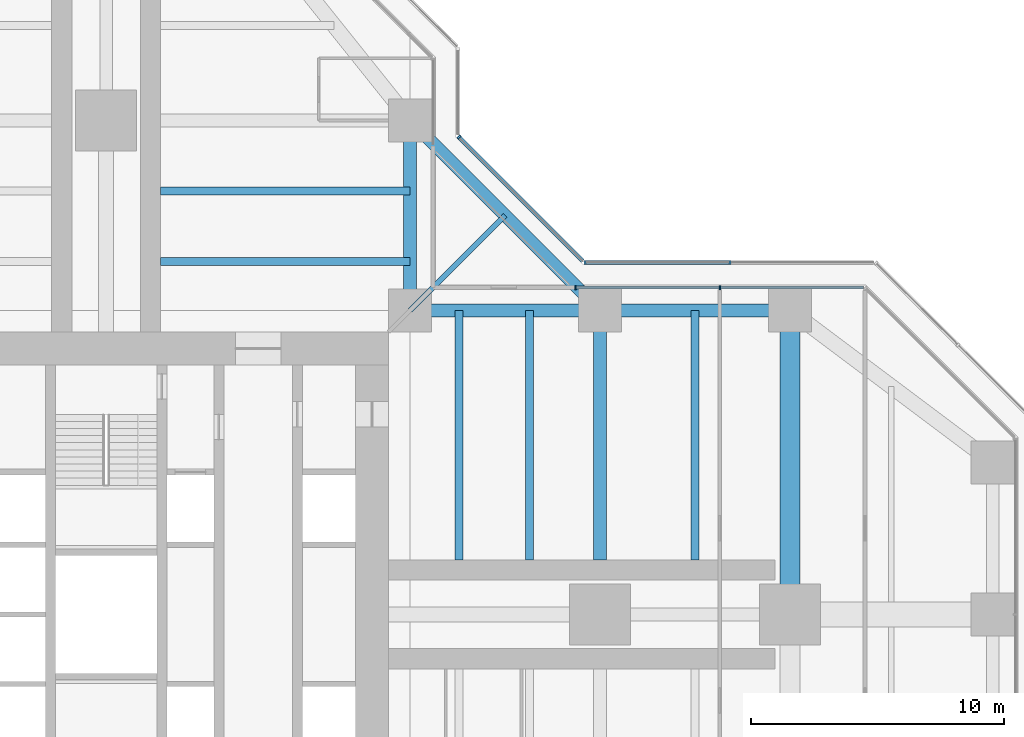
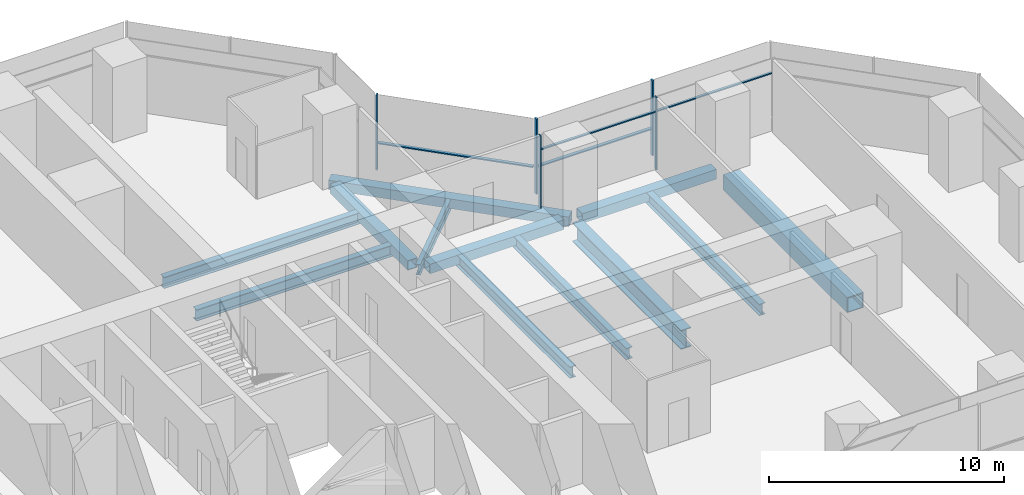
# One storey, part 9 of 20: 12 beams, 9 members, 3 elements without a shape of their own.
"""IFC4 building model written with IfcOpenShell, lengths in metres."""

from ifc_helpers import new_model, si_unit, direction, frame, origin, origin_2d, place, context, subcontext, project, spatial, rectangle, hollow_rectangle, i_section, extrude, material, material_profile, profile_set, type_object, element, aggregate, save


model = new_model("IFC4")

# Units and contexts
model_context = context("Model", 3, precision=1e-05, world=origin(), true_north=direction((0.0, 1.0)))
body_context = subcontext(model_context, "Body", "Model", "MODEL_VIEW")
ifc_project = project(units=[si_unit("LENGTHUNIT", "METRE"), si_unit("AREAUNIT", "SQUARE_METRE"), si_unit("VOLUMEUNIT", "CUBIC_METRE"), si_unit("PLANEANGLEUNIT", "RADIAN"), si_unit("MASSUNIT", "GRAM", prefix="KILO")], contexts=[model_context])

# Site, building, storey
site_placement = place(None, origin())
site = spatial("IfcSite", under=ifc_project, at=site_placement, CompositionType="ELEMENT")
building_placement = place(site_placement, origin())
building = spatial("IfcBuilding", under=site, at=building_placement, Name="Mizan Broadcast Tower", CompositionType="ELEMENT")
storey_placement = place(building_placement, frame((0.0, 0.0, 171.0)))
storey = spatial("IfcBuildingStorey", under=building, at=storey_placement, Name="L39", CompositionType="ELEMENT", Elevation=171.0)

# Beams
ifc_material_1 = material(Name="Steel S355", Category="steel")
ifc_material_profile_1 = material_profile(ifc_material_1, hollow_rectangle(XDim=0.5, YDim=0.5, WallThickness=0.030029296875, at=origin_2d()), Name="BOX 500x500x30")
ifc_profile_set_1 = profile_set([ifc_material_profile_1], Name="Steel S355")
beam_type_1 = type_object("IfcBeamType", Name="EDGE BEAM BOX 500x500x30", PredefinedType="SPANDREL", material=ifc_profile_set_1)
for number, where, z_axis, x_axis, name in (
    (1, (12.449951171875, 12.0, -0.3798828125), (1.0, 0.0, 0.0), (0.0, 1.0, 0.0), "Edge beam BOX 500x500x30 L39 east arm"),
    (2, (19.949951171875, 12.0, -0.3798828125), (1.0, 0.0, 0.0), (0.0, 1.0, 0.0), "Edge beam BOX 500x500x30 L39 east arm"),
    (3, (12.0, 12.449951171875, -0.3798828125), (0.0, 1.0, 0.0), (-1.0, 0.0, 0.0), "Edge beam BOX 500x500x30 L39 north arm"),
):
    element("IfcBeam", number, at=place(storey_placement, frame(where, z_axis=z_axis, x_axis=x_axis)), inside=storey, type_object=beam_type_1, Name=name, PredefinedType="SPANDREL", context=body_context, shape_type="SweptSolid", body=[
        extrude(hollow_rectangle(XDim=0.5, YDim=0.5, WallThickness=0.030029296875, at=origin_2d()), origin(), (0.0, 0.0, 1.0), 6.60009765625),
    ])
beam_1_placement = place(storey_placement, frame((19.5, 12.0, -0.3798828125), z_axis=(-0.707106781187, 0.707106781187, 0.0), x_axis=(-0.707106781187, -0.707106781187, 0.0)))
element("IfcBeam", 4, at=beam_1_placement, inside=storey, type_object=beam_type_1, Name="Winter garden edge beam L39 E", PredefinedType="SPANDREL", context=body_context, shape_type="SweptSolid", body=[
    extrude(hollow_rectangle(XDim=0.5, YDim=0.5, WallThickness=0.030029296875, at=origin_2d()), origin(), (0.0, 0.0, 1.0), 10.606689453125),
])
ifc_material_2 = material(Name="Steel S460", Category="steel")
ifc_material_profile_2 = material_profile(ifc_material_2, hollow_rectangle(XDim=0.800048828125, YDim=0.800048828125, WallThickness=0.050048828125, at=origin_2d()), Name="BOX 800x800x50")
ifc_profile_set_2 = profile_set([ifc_material_profile_2], Name="Steel S460")
beam_type_2 = type_object("IfcBeamType", Name="GIRDER BOX 800x800x50", PredefinedType="BEAM", material=ifc_profile_set_2)
beam_2_placement = place(storey_placement, frame((27.0, 11.280029296875, -0.530029296875), z_axis=(0.0, -1.0, 0.0), x_axis=(1.0, 0.0, 0.0)))
element("IfcBeam", 5, at=beam_2_placement, inside=storey, type_object=beam_type_2, Name="Girder BOX 800x800x50 L39 east arm", PredefinedType="BEAM", context=body_context, shape_type="SweptSolid", body=[
    extrude(hollow_rectangle(XDim=0.800048828125, YDim=0.800048828125, WallThickness=0.050048828125, at=origin_2d()), origin(), (0.0, 0.0, 1.0), 10.56005859375),
])
ifc_material_3 = material(Name="Steel S460", Category="steel")
ifc_material_profile_3 = material_profile(ifc_material_3, i_section(OverallWidth=0.5, OverallDepth=1.0, WebThickness=0.02490234375, FlangeThickness=0.050048828125, at=origin_2d()), Name="WPG 1000x500")
ifc_profile_set_3 = profile_set([ifc_material_profile_3], Name="Steel S460")
beam_type_3 = type_object("IfcBeamType", Name="GIRDER WPG 1000x500", PredefinedType="BEAM", material=ifc_profile_set_3)
beam_3_placement = place(storey_placement, frame((19.5, 11.408935546875, -0.6298828125), z_axis=(0.0, -1.0, 0.0), x_axis=(1.0, 0.0, 0.0)))
element("IfcBeam", 6, at=beam_3_placement, inside=storey, type_object=beam_type_3, Name="Girder WPG 1000x500 L39 east arm", PredefinedType="BEAM", context=body_context, shape_type="SweptSolid", body=[
    extrude(i_section(OverallWidth=0.5, OverallDepth=1.0, WebThickness=0.02490234375, FlangeThickness=0.050048828125, at=origin_2d()), origin(), (0.0, 0.0, 1.0), 9.259033203125),
])

# Curtain wall, members
ifc_material_4 = material(Name="Aluminium framed glazing", Category="aluminium")
curtain_wall_type_1 = type_object("IfcCurtainWallType", Name="INNER SKIN MID ZONE", PredefinedType="USERDEFINED", material=ifc_material_4)
curtain_wall_1_placement = place(storey_placement, origin())
curtain_wall_1 = element("IfcCurtainWall", 7, at=curtain_wall_1_placement, inside=storey, type_object=curtain_wall_type_1, Name="Inner skin mid zone L39 E side", ObjectType="INNER SKIN MID ZONE", PredefinedType="USERDEFINED")
ifc_material_5 = material(Name="Aluminium, pale anodised", Category="aluminium")
ifc_material_profile_4 = material_profile(ifc_material_5, rectangle(XDim=0.159912109375, YDim=0.06005859375, at=origin_2d()), Name="MULLION 160x60")
ifc_profile_set_4 = profile_set([ifc_material_profile_4], Name="Aluminium, pale anodised")
member_type_1 = type_object("IfcMemberType", Name="INNER SKIN MULLION 60x160", PredefinedType="MULLION", material=ifc_profile_set_4)
member_1_placement = place(storey_placement, frame((24.229248046875, 12.89990234375, 0.0), z_axis=(0.0, 0.0, 1.0), x_axis=(0.0, -1.0, 0.0)))
member_1 = element("IfcMember", 8, at=member_1_placement, type_object=member_type_1, Name="Inner skin mid zone L39 E side mullion 2", PredefinedType="MULLION", context=body_context, shape_type="SweptSolid", body=[
    extrude(rectangle(XDim=0.159912109375, YDim=0.06005859375, at=origin_2d()), origin(), (0.0, 0.0, 1.0), 3.77001953125),
])
member_2_placement = place(storey_placement, frame((18.530029296875, 12.89990234375, 0.0), z_axis=(0.0, 0.0, 1.0), x_axis=(0.0, -1.0, 0.0)))
member_2 = element("IfcMember", 9, at=member_2_placement, type_object=member_type_1, Name="Inner skin mid zone L39 E side mullion 3", PredefinedType="MULLION", context=body_context, shape_type="SweptSolid", body=[
    extrude(rectangle(XDim=0.159912109375, YDim=0.06005859375, at=origin_2d()), origin(), (0.0, 0.0, 1.0), 3.77001953125),
])
ifc_material_6 = material(Name="Aluminium, pale anodised", Category="aluminium")
ifc_material_profile_5 = material_profile(ifc_material_6, rectangle(XDim=0.1201171875, YDim=0.06005859375, at=origin_2d()), Name="TRANSOM 120x60")
ifc_profile_set_5 = profile_set([ifc_material_profile_5], Name="Aluminium, pale anodised")
member_type_2 = type_object("IfcMemberType", Name="INNER SKIN TRANSOM 60x120", PredefinedType="USERDEFINED", material=ifc_profile_set_5)
member_3_placement = place(storey_placement, frame((29.898681640625, 12.89990234375, 3.030029296875), z_axis=(-1.0, 0.0, 0.0), x_axis=(0.0, -1.0, 0.0)))
member_3 = element("IfcMember", 10, at=member_3_placement, type_object=member_type_2, Name="Inner skin mid zone L39 E side transom 1.1", ObjectType="TRANSOM", PredefinedType="USERDEFINED", context=body_context, shape_type="SweptSolid", body=[
    extrude(rectangle(XDim=0.1201171875, YDim=0.06005859375, at=origin_2d()), origin(), (0.0, 0.0, 1.0), 5.639404296875),
])
member_4_placement = place(storey_placement, frame((24.19921875, 12.89990234375, 3.030029296875), z_axis=(-1.0, 0.0, 0.0), x_axis=(0.0, -1.0, 0.0)))
member_4 = element("IfcMember", 11, at=member_4_placement, type_object=member_type_2, Name="Inner skin mid zone L39 E side transom 2.1", ObjectType="TRANSOM", PredefinedType="USERDEFINED", context=body_context, shape_type="SweptSolid", body=[
    extrude(rectangle(XDim=0.1201171875, YDim=0.06005859375, at=origin_2d()), origin(), (0.0, 0.0, 1.0), 5.63916015625),
])
aggregate(curtain_wall_1, [member_1, member_2, member_3, member_4])

ifc_material_7 = material(Name="Aluminium framed glazing", Category="aluminium")
curtain_wall_type_2 = type_object("IfcCurtainWallType", Name="OUTER SKIN", PredefinedType="USERDEFINED", material=ifc_material_7)
curtain_wall_2_placement = place(storey_placement, origin())
curtain_wall_2 = element("IfcCurtainWall", 12, at=curtain_wall_2_placement, inside=storey, type_object=curtain_wall_type_2, Name="Outer skin L39 E side", ObjectType="OUTER SKIN", PredefinedType="USERDEFINED")
ifc_material_8 = material(Name="Aluminium, pale anodised", Category="aluminium")
ifc_material_profile_6 = material_profile(ifc_material_8, rectangle(XDim=0.159912109375, YDim=0.080078125, at=origin_2d()), Name="MULLION 160x80")
ifc_profile_set_6 = profile_set([ifc_material_profile_6], Name="Aluminium, pale anodised")
member_type_3 = type_object("IfcMemberType", Name="OUTER SKIN MULLION 80x160", PredefinedType="MULLION", material=ifc_profile_set_6)
member_5_placement = place(storey_placement, frame((24.622802734375, 13.89990234375, 0.0), z_axis=(0.0, 0.0, 1.0), x_axis=(0.0, -1.0, 0.0)))
member_5 = element("IfcMember", 13, at=member_5_placement, type_object=member_type_3, Name="Outer skin L39 E side mullion 2", PredefinedType="MULLION", context=body_context, shape_type="SweptSolid", body=[
    extrude(rectangle(XDim=0.159912109375, YDim=0.080078125, at=origin_2d()), origin(), (0.0, 0.0, 1.0), 3.89990234375),
])
member_6_placement = place(storey_placement, frame((18.912841796875, 13.89990234375, 0.0), z_axis=(0.0, 0.0, 1.0), x_axis=(0.0, -1.0, 0.0)))
member_6 = element("IfcMember", 14, at=member_6_placement, type_object=member_type_3, Name="Outer skin L39 E side mullion 3", PredefinedType="MULLION", context=body_context, shape_type="SweptSolid", body=[
    extrude(rectangle(XDim=0.159912109375, YDim=0.080078125, at=origin_2d()), origin(), (0.0, 0.0, 1.0), 3.89990234375),
])

# Curtain wall, member
curtain_wall_3_placement = place(storey_placement, origin())
curtain_wall_3 = element("IfcCurtainWall", 15, at=curtain_wall_3_placement, inside=storey, type_object=curtain_wall_type_2, Name="Outer skin L39 E chamfer", ObjectType="OUTER SKIN", PredefinedType="USERDEFINED")
member_7_placement = place(storey_placement, frame((13.92822265625, 18.844482421875, 0.0), z_axis=(0.0, 0.0, 1.0), x_axis=(-0.707106781187, -0.707106781187, 0.0)))
member_7 = element("IfcMember", 16, at=member_7_placement, type_object=member_type_3, Name="Outer skin L39 E chamfer mullion 2", PredefinedType="MULLION", context=body_context, shape_type="SweptSolid", body=[
    extrude(rectangle(XDim=0.159912109375, YDim=0.080078125, at=origin_2d()), origin(), (0.0, 0.0, 1.0), 3.89990234375),
])

# Member
ifc_material_9 = material(Name="Aluminium, pale anodised", Category="aluminium")
ifc_material_profile_7 = material_profile(ifc_material_9, rectangle(XDim=0.159912109375, YDim=0.06005859375, at=origin_2d()), Name="TRANSOM 160x60")
ifc_profile_set_7 = profile_set([ifc_material_profile_7], Name="Aluminium, pale anodised")
member_type_4 = type_object("IfcMemberType", Name="OUTER SKIN TRANSOM 60x160", PredefinedType="USERDEFINED", material=ifc_profile_set_7)
member_8_placement = place(storey_placement, frame((24.582763671875, 13.89990234375, 1.39990234375), z_axis=(-1.0, 0.0, 0.0), x_axis=(0.0, -1.0, 0.0)))
member_8 = element("IfcMember", 17, at=member_8_placement, type_object=member_type_4, Name="Outer skin L39 E side transom 2.1", ObjectType="TRANSOM", PredefinedType="USERDEFINED", context=body_context, shape_type="SweptSolid", body=[
    extrude(rectangle(XDim=0.159912109375, YDim=0.06005859375, at=origin_2d()), origin(), (0.0, 0.0, 1.0), 5.6298828125),
])

aggregate(curtain_wall_2, [member_5, member_6, member_8])

member_9_placement = place(storey_placement, frame((18.816162109375, 13.95654296875, 1.39990234375), z_axis=(-0.707106781187, 0.707106781187, 0.0), x_axis=(-0.707106781187, -0.707106781187, 0.0)))
member_9 = element("IfcMember", 18, at=member_9_placement, type_object=member_type_4, Name="Outer skin L39 E chamfer transom 1.1", ObjectType="TRANSOM", PredefinedType="USERDEFINED", context=body_context, shape_type="SweptSolid", body=[
    extrude(rectangle(XDim=0.159912109375, YDim=0.06005859375, at=origin_2d()), origin(), (0.0, 0.0, 1.0), 6.87255859375),
])

aggregate(curtain_wall_3, [member_7, member_9])

# Beams
ifc_material_10 = material(Name="Steel S355", Category="steel")
ifc_material_profile_8 = material_profile(ifc_material_10, i_section(OverallWidth=0.300048828125, OverallDepth=0.590087890625, WebThickness=0.012939453125, FlangeThickness=0.02490234375, FilletRadius=0.027099609375, at=origin_2d()), Name="HEA 600")
ifc_profile_set_8 = profile_set([ifc_material_profile_8], Name="Steel S355")
beam_type_4 = type_object("IfcBeamType", Name="SECONDARY BEAM HEA 600", PredefinedType="JOIST", material=ifc_profile_set_8)
for number, where, z_axis, x_axis, name in (
    (19, (13.933349609375, 12.0, -0.425048828125), (0.0, -1.0, 0.0), (1.0, 0.0, 0.0), "Secondary beam HEA 600 L39 east arm"),
    (20, (16.716552734375, 12.0, -0.425048828125), (0.0, -1.0, 0.0), (1.0, 0.0, 0.0), "Secondary beam HEA 600 L39 east arm"),
    (21, (23.25, 12.0, -0.425048828125), (0.0, -1.0, 0.0), (1.0, 0.0, 0.0), "Secondary beam HEA 600 L39 east arm"),
    (22, (12.0, 13.933349609375, -0.425048828125), (-1.0, 0.0, 0.0), (0.0, -1.0, 0.0), "Secondary beam HEA 600 L39 north arm"),
    (23, (12.0, 16.716552734375, -0.425048828125), (-1.0, 0.0, 0.0), (0.0, -1.0, 0.0), "Secondary beam HEA 600 L39 north arm"),
):
    element("IfcBeam", number, at=place(storey_placement, frame(where, z_axis=z_axis, x_axis=x_axis)), inside=storey, type_object=beam_type_4, Name=name, PredefinedType="JOIST", context=body_context, shape_type="SweptSolid", body=[
        extrude(i_section(OverallWidth=0.300048828125, OverallDepth=0.590087890625, WebThickness=0.012939453125, FlangeThickness=0.02490234375, FilletRadius=0.027099609375, at=origin_2d()), origin(), (0.0, 0.0, 1.0), 9.85009765625),
    ])
ifc_material_11 = material(Name="Steel S355", Category="steel")
ifc_material_profile_9 = material_profile(ifc_material_11, i_section(OverallWidth=0.2099609375, OverallDepth=0.550048828125, WebThickness=0.010986328125, FlangeThickness=0.01708984375, FilletRadius=0.02392578125, at=origin_2d()), Name="IPE 550")
ifc_profile_set_9 = profile_set([ifc_material_profile_9], Name="Steel S355")
beam_type_5 = type_object("IfcBeamType", Name="SECONDARY BEAM IPE 550", PredefinedType="JOIST", material=ifc_profile_set_9)
beam_4_placement = place(storey_placement, frame((12.0, 12.0, -0.405029296875), z_axis=(0.707106781187, 0.707106781187, 0.0), x_axis=(-0.707106781187, 0.707106781187, 0.0)))
element("IfcBeam", 24, at=beam_4_placement, inside=storey, type_object=beam_type_5, Name="Winter garden beam L39 E", PredefinedType="JOIST", context=body_context, shape_type="SweptSolid", body=[
    extrude(i_section(OverallWidth=0.2099609375, OverallDepth=0.550048828125, WebThickness=0.010986328125, FlangeThickness=0.01708984375, FilletRadius=0.02392578125, at=origin_2d()), origin(), (0.0, 0.0, 1.0), 5.30322265625),
])

save(model, "model.ifc")
